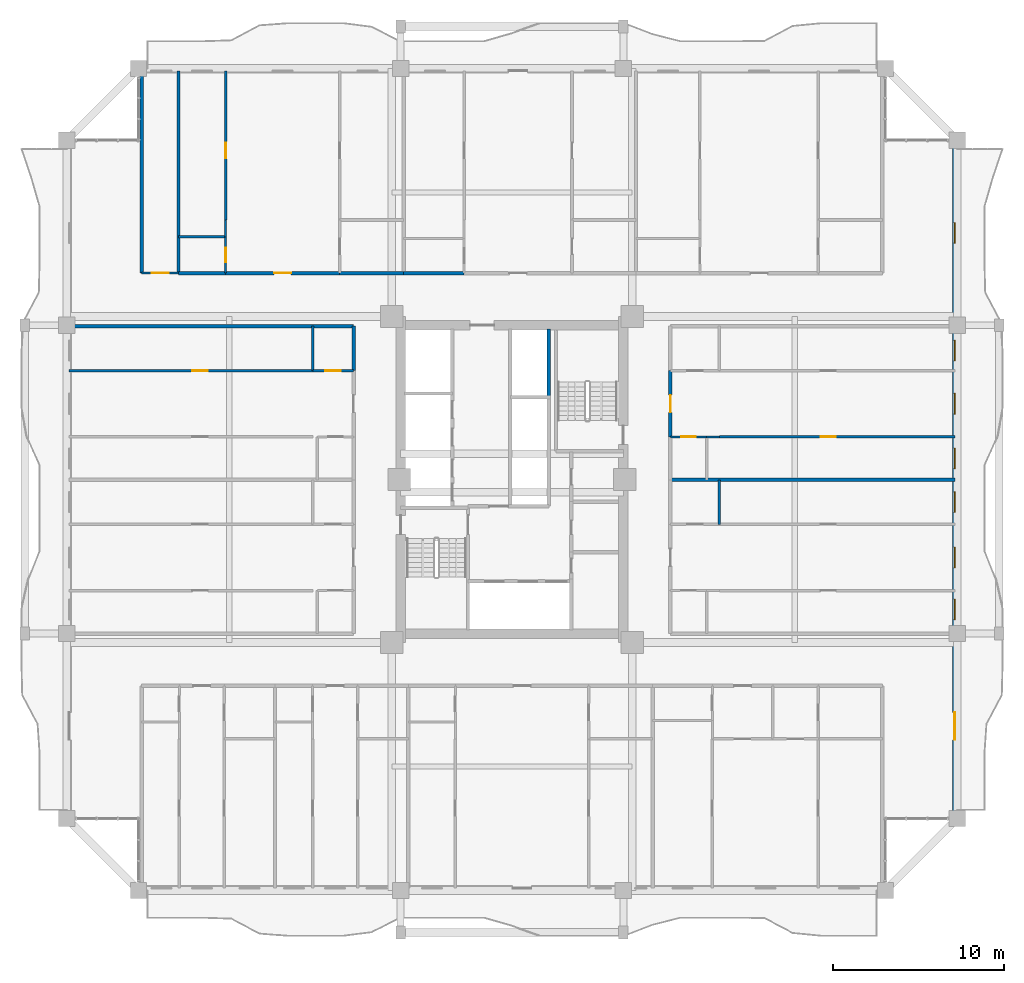
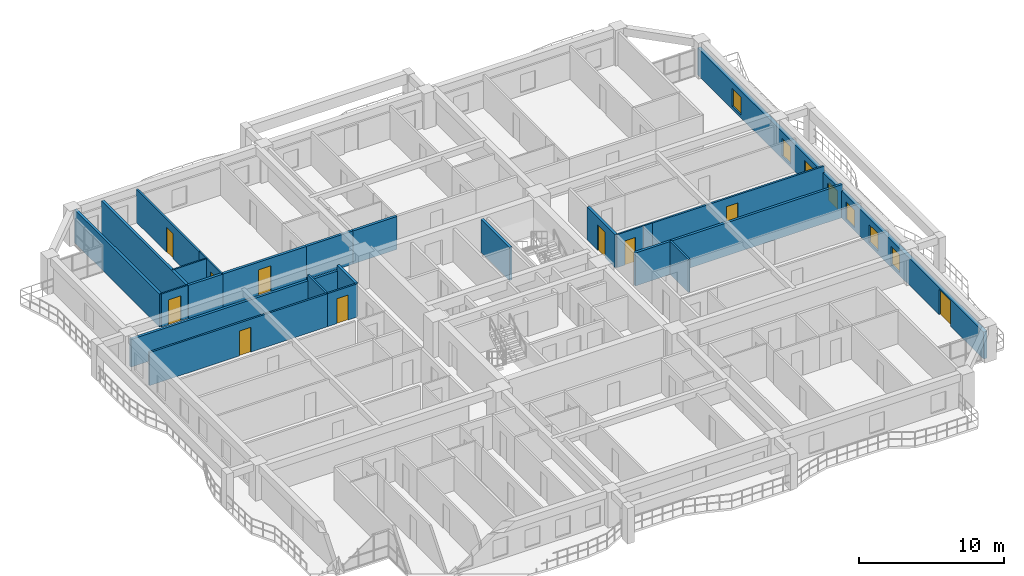
# One storey, part 18 of 25: 24 walls, 10 doors, 7 windows, 17 openings.
"""IFC4 building model written with IfcOpenShell, lengths in metres."""

from ifc_helpers import new_model, si_unit, direction, frame, frame_2d, origin, place, context, subcontext, project, spatial, rectangle, extrude, source, transform, mapped, material, layer, layer_set, type_object, element, fill, save


model = new_model("IFC4")

# Units and contexts
model_context = context("Model", 3, precision=1e-05, world=origin(), true_north=direction((0.0, 1.0)))
body_context = subcontext(model_context, "Body", "Model", "MODEL_VIEW")
ifc_project = project(units=[si_unit("LENGTHUNIT", "METRE"), si_unit("AREAUNIT", "SQUARE_METRE"), si_unit("VOLUMEUNIT", "CUBIC_METRE"), si_unit("PLANEANGLEUNIT", "RADIAN"), si_unit("MASSUNIT", "GRAM", prefix="KILO")], contexts=[model_context])

# Site, building, storey
site_placement = place(None, origin())
site = spatial("IfcSite", under=ifc_project, at=site_placement, CompositionType="ELEMENT")
building_placement = place(site_placement, origin())
building = spatial("IfcBuilding", under=site, at=building_placement, Name="Saelheon Loggia Tower", CompositionType="ELEMENT")
storey_placement = place(building_placement, frame((0.0, 0.0, 80.85009765625)))
storey = spatial("IfcBuildingStorey", under=building, at=storey_placement, Name="L25", CompositionType="ELEMENT", Elevation=80.85009765625)

# Wall, openings, windows, door
ifc_material_1 = material(Name="Architectural Precast Concrete C40/50", Category="concrete")
ifc_layer_1 = layer(ifc_material_1, 0.280029296875)
ifc_layer_set_1 = layer_set([ifc_layer_1], Name="Architectural Precast Concrete C40/50")
wall_type_1 = type_object("IfcWallType", Name="Wall_Ext_Loggia_280", PredefinedType="SOLIDWALL", material=ifc_layer_set_1)
wall_1_placement = place(storey_placement, frame((63.860107421875, 7.199951171875, 0.0), z_axis=(0.0, 0.0, 1.0), x_axis=(0.0, 1.0, 0.0)))
wall_1 = element("IfcWall", 1, at=wall_1_placement, inside=storey, type_object=wall_type_1, Name="L25 East Loggia Inner Wall", PredefinedType="SOLIDWALL", context=body_context, shape_type="SweptSolid", body=[
    extrude(rectangle(XDim=39.60009765625, YDim=0.280029296875, at=frame_2d((19.800048828125, 0.0))), origin(), (0.0, 0.0, 1.0), 2.27978515625),
])
opening_1_placement = place(wall_1_placement, frame((6.2001953125, 0.0, 0.0), z_axis=(0.0, 0.0, 1.0), x_axis=(-1.0, 0.0, 0.0)))
opening_1 = element("IfcOpeningElement", 2, at=opening_1_placement, cuts=wall_1, Name="Opening DLG-1", PredefinedType="OPENING", context=body_context, shape_type="SweptSolid", body=[
    extrude(rectangle(XDim=1.60009765625, YDim=2.14990234375, at=frame_2d((0.800048828125, 1.074951171875))), frame((0.0, 0.152099609375, 0.0), z_axis=(0.0, -1.0, 0.0), x_axis=(1.0, 0.0, 0.0)), (0.0, 0.0, 1.0), 0.303955078125),
])
opening_2_placement = place(wall_1_placement, frame((11.614013671875, 0.0, 0.25)))
opening_2 = element("IfcOpeningElement", 3, at=opening_2_placement, cuts=wall_1, Name="Opening WN-03", PredefinedType="OPENING", context=body_context, shape_type="SweptSolid", body=[
    extrude(rectangle(XDim=1.199951171875, YDim=1.5, at=frame_2d((0.60009765625, 0.75))), frame((0.0, 0.152099609375, 0.0), z_axis=(0.0, -1.0, 0.0), x_axis=(1.0, 0.0, 0.0)), (0.0, 0.0, 1.0), 0.303955078125),
])
opening_3_placement = place(wall_1_placement, frame((14.64404296875, 0.0, 0.25)))
opening_3 = element("IfcOpeningElement", 4, at=opening_3_placement, cuts=wall_1, Name="Opening WN-03", PredefinedType="OPENING", context=body_context, shape_type="SweptSolid", body=[
    extrude(rectangle(XDim=1.199951171875, YDim=1.5, at=frame_2d((0.60009765625, 0.75))), frame((0.0, 0.152099609375, 0.0), z_axis=(0.0, -1.0, 0.0), x_axis=(1.0, 0.0, 0.0)), (0.0, 0.0, 1.0), 0.303955078125),
])
opening_4_placement = place(wall_1_placement, frame((17.875, 0.0, 0.25)))
opening_4 = element("IfcOpeningElement", 5, at=opening_4_placement, cuts=wall_1, Name="Opening WN-03", PredefinedType="OPENING", context=body_context, shape_type="SweptSolid", body=[
    extrude(rectangle(XDim=1.199951171875, YDim=1.5, at=frame_2d((0.60009765625, 0.75))), frame((0.0, 0.152099609375, 0.0), z_axis=(0.0, -1.0, 0.0), x_axis=(1.0, 0.0, 0.0)), (0.0, 0.0, 1.0), 0.303955078125),
])
opening_5_placement = place(wall_1_placement, frame((20.431396484375, 0.0, 0.25)))
opening_5 = element("IfcOpeningElement", 6, at=opening_5_placement, cuts=wall_1, Name="Opening WN-03", PredefinedType="OPENING", context=body_context, shape_type="SweptSolid", body=[
    extrude(rectangle(XDim=1.199951171875, YDim=1.5, at=frame_2d((0.60009765625, 0.75))), frame((0.0, 0.152099609375, 0.0), z_axis=(0.0, -1.0, 0.0), x_axis=(1.0, 0.0, 0.0)), (0.0, 0.0, 1.0), 0.303955078125),
])
opening_6_placement = place(wall_1_placement, frame((23.618896484375, 0.0, 0.25)))
opening_6 = element("IfcOpeningElement", 7, at=opening_6_placement, cuts=wall_1, Name="Opening WN-03", PredefinedType="OPENING", context=body_context, shape_type="SweptSolid", body=[
    extrude(rectangle(XDim=1.199951171875, YDim=1.5, at=frame_2d((0.60009765625, 0.75))), frame((0.0, 0.152099609375, 0.0), z_axis=(0.0, -1.0, 0.0), x_axis=(1.0, 0.0, 0.0)), (0.0, 0.0, 1.0), 0.303955078125),
])
opening_7_placement = place(wall_1_placement, frame((26.717529296875, 0.0, 0.25)))
opening_7 = element("IfcOpeningElement", 8, at=opening_7_placement, cuts=wall_1, Name="Opening WN-03", PredefinedType="OPENING", context=body_context, shape_type="SweptSolid", body=[
    extrude(rectangle(XDim=1.199951171875, YDim=1.5, at=frame_2d((0.60009765625, 0.75))), frame((0.0, 0.152099609375, 0.0), z_axis=(0.0, -1.0, 0.0), x_axis=(1.0, 0.0, 0.0)), (0.0, 0.0, 1.0), 0.303955078125),
])
opening_8_placement = place(wall_1_placement, frame((33.60009765625, 0.0, 0.25)))
opening_8 = element("IfcOpeningElement", 9, at=opening_8_placement, cuts=wall_1, Name="Opening WN-03", PredefinedType="OPENING", context=body_context, shape_type="SweptSolid", body=[
    extrude(rectangle(XDim=1.199951171875, YDim=1.5, at=frame_2d((0.60009765625, 0.75))), frame((0.0, 0.152099609375, 0.0), z_axis=(0.0, -1.0, 0.0), x_axis=(1.0, 0.0, 0.0)), (0.0, 0.0, 1.0), 0.303955078125),
])
ifc_material_2 = material(Name="Thermal-Break Aluminium and Triple Low-E Glass", Category="aluminium")
window_type = type_object("IfcWindowType", Name="Win_Bedroom_1200x1500", PartitioningType="SINGLE_PANEL", PredefinedType="WINDOW", material=ifc_material_2)
shared_shape_1 = source(origin(), body_context, "Body", "SweptSolid", [
    extrude(rectangle(XDim=1.199951171875, YDim=1.5, at=frame_2d((0.60009765625, 0.75))), frame((0.0, 0.030029296875, 0.0), z_axis=(0.0, -1.0, 0.0), x_axis=(1.0, 0.0, 0.0)), (0.0, 0.0, 1.0), 0.06005859375),
])
window_1_placement = place(opening_2_placement, origin())
window_1 = element("IfcWindow", 10, at=window_1_placement, inside=storey, type_object=window_type, Name="L25 E Dwelling Window 2", OverallHeight=1.5, OverallWidth=1.199951171875, PartitioningType="SINGLE_PANEL", PredefinedType="WINDOW", context=body_context, shape_type="MappedRepresentation", body=[
    mapped(shared_shape_1, transform((0.0, 0.0, 0.0), scale=1.0)),
])
fill(opening_2, window_1)
window_2_placement = place(opening_3_placement, origin())
window_2 = element("IfcWindow", 11, at=window_2_placement, inside=storey, type_object=window_type, Name="L25 E Dwelling Window 3", OverallHeight=1.5, OverallWidth=1.199951171875, PartitioningType="SINGLE_PANEL", PredefinedType="WINDOW", context=body_context, shape_type="MappedRepresentation", body=[
    mapped(shared_shape_1, transform((0.0, 0.0, 0.0), scale=1.0)),
])
fill(opening_3, window_2)
window_3_placement = place(opening_4_placement, origin())
window_3 = element("IfcWindow", 12, at=window_3_placement, inside=storey, type_object=window_type, Name="L25 E Dwelling Window 4", OverallHeight=1.5, OverallWidth=1.199951171875, PartitioningType="SINGLE_PANEL", PredefinedType="WINDOW", context=body_context, shape_type="MappedRepresentation", body=[
    mapped(shared_shape_1, transform((0.0, 0.0, 0.0), scale=1.0)),
])
fill(opening_4, window_3)
window_4_placement = place(opening_5_placement, origin())
window_4 = element("IfcWindow", 13, at=window_4_placement, inside=storey, type_object=window_type, Name="L25 E Dwelling Window 5", OverallHeight=1.5, OverallWidth=1.199951171875, PartitioningType="SINGLE_PANEL", PredefinedType="WINDOW", context=body_context, shape_type="MappedRepresentation", body=[
    mapped(shared_shape_1, transform((0.0, 0.0, 0.0), scale=1.0)),
])
fill(opening_5, window_4)
window_5_placement = place(opening_6_placement, origin())
window_5 = element("IfcWindow", 14, at=window_5_placement, inside=storey, type_object=window_type, Name="L25 E Dwelling Window 6", OverallHeight=1.5, OverallWidth=1.199951171875, PartitioningType="SINGLE_PANEL", PredefinedType="WINDOW", context=body_context, shape_type="MappedRepresentation", body=[
    mapped(shared_shape_1, transform((0.0, 0.0, 0.0), scale=1.0)),
])
fill(opening_6, window_5)
window_6_placement = place(opening_7_placement, origin())
window_6 = element("IfcWindow", 15, at=window_6_placement, inside=storey, type_object=window_type, Name="L25 E Dwelling Window 7", OverallHeight=1.5, OverallWidth=1.199951171875, PartitioningType="SINGLE_PANEL", PredefinedType="WINDOW", context=body_context, shape_type="MappedRepresentation", body=[
    mapped(shared_shape_1, transform((0.0, 0.0, 0.0), scale=1.0)),
])
fill(opening_7, window_6)
window_7_placement = place(opening_8_placement, origin())
window_7 = element("IfcWindow", 16, at=window_7_placement, inside=storey, type_object=window_type, Name="L25 E Dwelling Window 8", OverallHeight=1.5, OverallWidth=1.199951171875, PartitioningType="SINGLE_PANEL", PredefinedType="WINDOW", context=body_context, shape_type="MappedRepresentation", body=[
    mapped(shared_shape_1, transform((0.0, 0.0, 0.0), scale=1.0)),
])
fill(opening_8, window_7)
ifc_material_3 = material(Name="Thermal-Break Aluminium Sliding Glazed Door", Category="aluminium")
door_type_1 = type_object("IfcDoorType", Name="Door_LoggiaSlide_1600", OperationType="SLIDING_TO_LEFT", PredefinedType="DOOR", material=ifc_material_3)
shared_shape_2 = source(origin(), body_context, "Body", "SweptSolid", [
    extrude(rectangle(XDim=1.60009765625, YDim=2.14990234375, at=frame_2d((0.800048828125, 1.074951171875))), frame((0.0, 0.02490234375, 0.0), z_axis=(0.0, -1.0, 0.0), x_axis=(1.0, 0.0, 0.0)), (0.0, 0.0, 1.0), 0.050048828125),
])
door_1_placement = place(opening_1_placement, origin())
door_1 = element("IfcDoor", 17, at=door_1_placement, inside=storey, type_object=door_type_1, Name="L25 E Loggia Access Door", OperationType="SLIDING_TO_LEFT", OverallHeight=2.14990234375, OverallWidth=1.60009765625, PredefinedType="DOOR", context=body_context, shape_type="MappedRepresentation", body=[
    mapped(shared_shape_2, transform((0.0, 0.0, 0.0), scale=1.0)),
])
fill(opening_1, door_1)

# Wall, opening, door
ifc_material_4 = material(Name="Lightweight Autoclaved Aerated Concrete Block and Acoustic Gypsum", Category="concrete")
ifc_layer_2 = layer(ifc_material_4, 0.14990234375)
ifc_layer_set_2 = layer_set([ifc_layer_2], Name="Lightweight Autoclaved Aerated Concrete Block and Acoustic Gypsum")
wall_type_2 = type_object("IfcWallType", Name="Wall_Part_150", PredefinedType="PARTITIONING", material=ifc_layer_set_2)
wall_2_placement = place(storey_placement, frame((21.280029296875, 42.14990234375, 0.0), z_axis=(0.0, 0.0, 1.0), x_axis=(0.0, 1.0, 0.0)))
wall_2 = element("IfcWall", 18, at=wall_2_placement, inside=storey, type_object=wall_type_2, Name="L25 N Partition U12", PredefinedType="PARTITIONING", context=body_context, shape_type="SweptSolid", body=[
    extrude(rectangle(XDim=8.7001953125, YDim=0.14990234375, at=frame_2d((4.35009765625, 0.0))), origin(), (0.0, 0.0, 1.0), 2.789794921875),
])
opening_9_placement = place(wall_2_placement, frame((3.594970703125, 0.0, 0.0)))
opening_9 = element("IfcOpeningElement", 19, at=opening_9_placement, cuts=wall_2, Name="Opening D-IN2", PredefinedType="OPENING", context=body_context, shape_type="SweptSolid", body=[
    extrude(rectangle(XDim=0.89990234375, YDim=2.10009765625, at=frame_2d((0.449951171875, 1.050048828125))), frame((0.0, 0.0869140625, 0.0), z_axis=(0.0, -1.0, 0.0), x_axis=(1.0, 0.0, 0.0)), (0.0, 0.0, 1.0), 0.173828125),
])
ifc_material_5 = material(Name="Engineered Oak Flush Door", Category="timber")
door_type_2 = type_object("IfcDoorType", Name="Door_Int_900", OperationType="NOTDEFINED", PredefinedType="DOOR", material=ifc_material_5)
shared_shape_3 = source(origin(), body_context, "Body", "SweptSolid", [
    extrude(rectangle(XDim=0.89990234375, YDim=2.10009765625, at=frame_2d((0.449951171875, 1.050048828125))), frame((0.0, 0.02490234375, 0.0), z_axis=(0.0, -1.0, 0.0), x_axis=(1.0, 0.0, 0.0)), (0.0, 0.0, 1.0), 0.050048828125),
])
door_2_placement = place(opening_9_placement, origin())
door_2 = element("IfcDoor", 20, at=door_2_placement, inside=storey, type_object=door_type_2, Name="Unit U05 Kitchen Door", OperationType="SINGLE_SWING_RIGHT", OverallHeight=2.10009765625, OverallWidth=0.89990234375, PredefinedType="DOOR", context=body_context, shape_type="MappedRepresentation", body=[
    mapped(shared_shape_3, transform((0.0, 0.0, 0.0), scale=1.0)),
])
fill(opening_9, door_2)

# Wall
wall_3_placement = place(storey_placement, frame((26.3701171875, 33.35009765625, 0.0), z_axis=(0.0, 0.0, 1.0), x_axis=(0.0, 1.0, 0.0)))
element("IfcWall", 21, at=wall_3_placement, inside=storey, type_object=wall_type_2, Name="L25 W Partition V17", PredefinedType="PARTITIONING", context=body_context, shape_type="SweptSolid", body=[
    extrude(rectangle(XDim=2.599853515625, YDim=0.14990234375, at=frame_2d((1.2998046875, 0.0))), origin(), (0.0, 0.0, 1.0), 2.789794921875),
])

# Wall, opening, door
wall_4_placement = place(storey_placement, frame((28.75, 33.35009765625, 0.0), z_axis=(0.0, 0.0, 1.0), x_axis=(-1.0, 0.0, 0.0)))
wall_4 = element("IfcWall", 22, at=wall_4_placement, inside=storey, type_object=wall_type_2, Name="L25 W Partition U20", PredefinedType="PARTITIONING", context=body_context, shape_type="SweptSolid", body=[
    extrude(rectangle(XDim=2.3798828125, YDim=0.14990234375, at=frame_2d((1.18994140625, 0.0))), origin(), (0.0, 0.0, 1.0), 2.789794921875),
])
opening_10_placement = place(wall_4_placement, frame((0.739990234375, 0.0, 0.0)))
opening_10 = element("IfcOpeningElement", 23, at=opening_10_placement, cuts=wall_4, Name="Opening D-IN2", PredefinedType="OPENING", context=body_context, shape_type="SweptSolid", body=[
    extrude(rectangle(XDim=0.89990234375, YDim=2.10009765625, at=frame_2d((0.449951171875, 1.050048828125))), frame((0.0, 0.0869140625, 0.0), z_axis=(0.0, -1.0, 0.0), x_axis=(1.0, 0.0, 0.0)), (0.0, 0.0, 1.0), 0.173828125),
])
door_3_placement = place(opening_10_placement, origin())
door_3 = element("IfcDoor", 24, at=door_3_placement, inside=storey, type_object=door_type_2, Name="Unit U09 Dressing Closet Door", OperationType="SINGLE_SWING_LEFT", OverallHeight=2.10009765625, OverallWidth=0.89990234375, PredefinedType="DOOR", context=body_context, shape_type="MappedRepresentation", body=[
    mapped(shared_shape_3, transform((0.0, 0.0, 0.0), scale=1.0)),
])
fill(opening_10, door_3)

wall_5_placement = place(storey_placement, frame((26.3701171875, 33.35009765625, 0.0), z_axis=(0.0, 0.0, 1.0), x_axis=(-1.0, 0.0, 0.0)))
wall_5 = element("IfcWall", 25, at=wall_5_placement, inside=storey, type_object=wall_type_2, Name="L25 W Partition U21", PredefinedType="PARTITIONING", context=body_context, shape_type="SweptSolid", body=[
    extrude(rectangle(XDim=14.22021484375, YDim=0.14990234375, at=frame_2d((7.110107421875, 0.0))), origin(), (0.0, 0.0, 1.0), 2.789794921875),
])
opening_11_placement = place(wall_5_placement, frame((6.125, 0.0, 0.0)))
opening_11 = element("IfcOpeningElement", 26, at=opening_11_placement, cuts=wall_5, Name="Opening D-IN2", PredefinedType="OPENING", context=body_context, shape_type="SweptSolid", body=[
    extrude(rectangle(XDim=0.89990234375, YDim=2.10009765625, at=frame_2d((0.449951171875, 1.050048828125))), frame((0.0, 0.0869140625, 0.0), z_axis=(0.0, -1.0, 0.0), x_axis=(1.0, 0.0, 0.0)), (0.0, 0.0, 1.0), 0.173828125),
])
door_4_placement = place(opening_11_placement, origin())
door_4 = element("IfcDoor", 27, at=door_4_placement, inside=storey, type_object=door_type_2, Name="Unit U09 Bedroom 1 Door", OperationType="SINGLE_SWING_RIGHT", OverallHeight=2.10009765625, OverallWidth=0.89990234375, PredefinedType="DOOR", context=body_context, shape_type="MappedRepresentation", body=[
    mapped(shared_shape_3, transform((0.0, 0.0, 0.0), scale=1.0)),
])
fill(opening_11, door_4)

# Wall
wall_6_placement = place(storey_placement, frame((50.110107421875, 24.375, 0.0), z_axis=(0.0, 0.0, 1.0), x_axis=(0.0, 1.0, 0.0)))
element("IfcWall", 28, at=wall_6_placement, inside=storey, type_object=wall_type_2, Name="L25 E Partition V07", PredefinedType="PARTITIONING", context=body_context, shape_type="SweptSolid", body=[
    extrude(rectangle(XDim=2.60009765625, YDim=0.14990234375, at=frame_2d((1.300048828125, 0.0))), origin(), (0.0, 0.0, 1.0), 2.789794921875),
])

# Wall, opening, door
wall_7_placement = place(storey_placement, frame((50.110107421875, 29.488037109375, 0.0), z_axis=(0.0, 0.0, 1.0), x_axis=(1.0, 0.0, 0.0)))
wall_7 = element("IfcWall", 29, at=wall_7_placement, inside=storey, type_object=wall_type_2, Name="L25 E Partition U21", PredefinedType="PARTITIONING", context=body_context, shape_type="SweptSolid", body=[
    extrude(rectangle(XDim=13.739990234375, YDim=0.14990234375, at=frame_2d((6.8701171875, 0.0))), origin(), (0.0, 0.0, 1.0), 2.789794921875),
])
opening_12_placement = place(wall_7_placement, frame((5.905029296875, 0.0, 0.0)))
opening_12 = element("IfcOpeningElement", 30, at=opening_12_placement, cuts=wall_7, Name="Opening D-IN2", PredefinedType="OPENING", context=body_context, shape_type="SweptSolid", body=[
    extrude(rectangle(XDim=0.89990234375, YDim=2.10009765625, at=frame_2d((0.449951171875, 1.050048828125))), frame((0.0, 0.0869140625, 0.0), z_axis=(0.0, -1.0, 0.0), x_axis=(1.0, 0.0, 0.0)), (0.0, 0.0, 1.0), 0.173828125),
])
door_5_placement = place(opening_12_placement, origin())
door_5 = element("IfcDoor", 31, at=door_5_placement, inside=storey, type_object=door_type_2, Name="Unit U11 Kitchen Door", OperationType="SINGLE_SWING_RIGHT", OverallHeight=2.10009765625, OverallWidth=0.89990234375, PredefinedType="DOOR", context=body_context, shape_type="MappedRepresentation", body=[
    mapped(shared_shape_3, transform((0.0, 0.0, 0.0), scale=1.0)),
])
fill(opening_12, door_5)

# Walls
ifc_material_6 = material(Name="Double Acoustic Stud and Fireboard Partition", Category="gypsum")
ifc_layer_3 = layer(ifc_material_6, 0.199951171875)
ifc_layer_set_3 = layer_set([ifc_layer_3], Name="Double Acoustic Stud and Fireboard Partition")
wall_type_3 = type_object("IfcWallType", Name="Wall_Party_200", PredefinedType="PARTITIONING", material=ifc_layer_set_3)
for number, where, z_axis, x_axis, name in (
    (32, (16.3798828125, 39.050048828125, 0.0), (0.0, 0.0, 1.0), (0.0, 1.0, 0.0), "L25 N Partition U01"),
    (33, (18.530029296875, 39.050048828125, 0.0), (0.0, 0.0, 1.0), (0.0, 1.0, 0.0), "L25 N Partition U03"),
):
    element("IfcWall", number, at=place(storey_placement, frame(where, z_axis=z_axis, x_axis=x_axis)), inside=storey, type_object=wall_type_3, Name=name, PredefinedType="PARTITIONING", context=body_context, shape_type="SweptSolid", body=[
        extrude(rectangle(XDim=11.800048828125, YDim=0.199951171875, at=frame_2d((5.89990234375, 0.0))), origin(), (0.0, 0.0, 1.0), 2.789794921875),
    ])
wall_8_placement = place(storey_placement, frame((18.530029296875, 39.050048828125, 0.0), z_axis=(0.0, 0.0, 1.0), x_axis=(1.0, 0.0, 0.0)))
element("IfcWall", 34, at=wall_8_placement, inside=storey, type_object=wall_type_3, Name="L25 N Partition V05", PredefinedType="PARTITIONING", context=body_context, shape_type="SweptSolid", body=[
    extrude(rectangle(XDim=2.75, YDim=0.199951171875, at=frame_2d((1.375, 0.0))), origin(), (0.0, 0.0, 1.0), 2.789794921875),
])

# Wall, opening, door
wall_9_placement = place(storey_placement, frame((21.280029296875, 39.050048828125, 0.0), z_axis=(0.0, 0.0, 1.0), x_axis=(1.0, 0.0, 0.0)))
wall_9 = element("IfcWall", 35, at=wall_9_placement, inside=storey, type_object=wall_type_3, Name="L25 N Partition V06", PredefinedType="PARTITIONING", context=body_context, shape_type="SweptSolid", body=[
    extrude(rectangle(XDim=6.6630859375, YDim=0.199951171875, at=frame_2d((3.33154296875, 0.0))), origin(), (0.0, 0.0, 1.0), 2.789794921875),
])
opening_13_placement = place(wall_9_placement, frame((2.83154296875, 0.0, 0.0)))
opening_13 = element("IfcOpeningElement", 36, at=opening_13_placement, cuts=wall_9, Name="Opening D-FD1", PredefinedType="OPENING", context=body_context, shape_type="SweptSolid", body=[
    extrude(rectangle(XDim=1.0, YDim=2.14990234375, at=frame_2d((0.5, 1.074951171875))), frame((0.0, 0.112060546875, 0.0), z_axis=(0.0, -1.0, 0.0), x_axis=(1.0, 0.0, 0.0)), (0.0, 0.0, 1.0), 0.223876953125),
])
ifc_material_7 = material(Name="Fire-Rated Engineered Timber Entrance Door", Category="wood")
door_type_3 = type_object("IfcDoorType", Name="Door_Flat_FD30S", OperationType="NOTDEFINED", PredefinedType="DOOR", material=ifc_material_7)
shared_shape_4 = source(origin(), body_context, "Body", "SweptSolid", [
    extrude(rectangle(XDim=1.0, YDim=2.14990234375, at=frame_2d((0.5, 1.074951171875))), frame((0.0, 0.02490234375, 0.0), z_axis=(0.0, -1.0, 0.0), x_axis=(1.0, 0.0, 0.0)), (0.0, 0.0, 1.0), 0.050048828125),
])
door_6_placement = place(opening_13_placement, origin())
door_6 = element("IfcDoor", 37, at=door_6_placement, inside=storey, type_object=door_type_3, Name="Unit U05 Entrance Door", OperationType="SINGLE_SWING_RIGHT", OverallHeight=2.14990234375, OverallWidth=1.0, PredefinedType="DOOR", context=body_context, shape_type="MappedRepresentation", body=[
    mapped(shared_shape_4, transform((0.0, 0.0, 0.0), scale=1.0)),
])
fill(opening_13, door_6)

# Walls
wall_10_placement = place(storey_placement, frame((27.943115234375, 39.050048828125, 0.0), z_axis=(0.0, 0.0, 1.0), x_axis=(1.0, 0.0, 0.0)))
element("IfcWall", 38, at=wall_10_placement, inside=storey, type_object=wall_type_3, Name="L25 N Partition V07", PredefinedType="PARTITIONING", context=body_context, shape_type="SweptSolid", body=[
    extrude(rectangle(XDim=3.735595703125, YDim=0.199951171875, at=frame_2d((1.86767578125, 0.0))), origin(), (0.0, 0.0, 1.0), 2.789794921875),
])
wall_11_placement = place(storey_placement, frame((31.6787109375, 39.050048828125, 0.0), z_axis=(0.0, 0.0, 1.0), x_axis=(1.0, 0.0, 0.0)))
element("IfcWall", 39, at=wall_11_placement, inside=storey, type_object=wall_type_3, Name="L25 N Partition V16", PredefinedType="PARTITIONING", context=body_context, shape_type="SweptSolid", body=[
    extrude(rectangle(XDim=3.525634765625, YDim=0.199951171875, at=frame_2d((1.7626953125, 0.0))), origin(), (0.0, 0.0, 1.0), 2.789794921875),
])
wall_12_placement = place(storey_placement, frame((28.75, 35.949951171875, 0.0), z_axis=(0.0, 0.0, 1.0), x_axis=(-1.0, 0.0, 0.0)))
element("IfcWall", 40, at=wall_12_placement, inside=storey, type_object=wall_type_3, Name="L25 W Partition U02", PredefinedType="PARTITIONING", context=body_context, shape_type="SweptSolid", body=[
    extrude(rectangle(XDim=16.60009765625, YDim=0.199951171875, at=frame_2d((8.300048828125, 0.0))), origin(), (0.0, 0.0, 1.0), 2.33984375),
])
wall_13_placement = place(storey_placement, frame((28.75, 33.35009765625, 0.0), z_axis=(0.0, 0.0, 1.0), x_axis=(0.0, 1.0, 0.0)))
element("IfcWall", 41, at=wall_13_placement, inside=storey, type_object=wall_type_3, Name="L25 W Partition V15", PredefinedType="PARTITIONING", context=body_context, shape_type="SweptSolid", body=[
    extrude(rectangle(XDim=2.599853515625, YDim=0.199951171875, at=frame_2d((1.2998046875, 0.0))), origin(), (0.0, 0.0, 1.0), 2.789794921875),
])
wall_14_placement = place(storey_placement, frame((47.25, 26.97509765625, 0.0), z_axis=(0.0, 0.0, 1.0), x_axis=(1.0, 0.0, 0.0)))
element("IfcWall", 42, at=wall_14_placement, inside=storey, type_object=wall_type_3, Name="L25 E Partition U13", PredefinedType="PARTITIONING", context=body_context, shape_type="SweptSolid", body=[
    extrude(rectangle(XDim=16.60009765625, YDim=0.199951171875, at=frame_2d((8.300048828125, 0.0))), origin(), (0.0, 0.0, 1.0), 2.789794921875),
])

# Wall, opening, door
wall_15_placement = place(storey_placement, frame((47.25, 29.488037109375, 0.0), z_axis=(0.0, 0.0, 1.0), x_axis=(0.0, 1.0, 0.0)))
wall_15 = element("IfcWall", 43, at=wall_15_placement, inside=storey, type_object=wall_type_3, Name="L25 E Partition V15", PredefinedType="PARTITIONING", context=body_context, shape_type="SweptSolid", body=[
    extrude(rectangle(XDim=3.862060546875, YDim=0.199951171875, at=frame_2d((1.93115234375, 0.0))), origin(), (0.0, 0.0, 1.0), 2.789794921875),
])
opening_14_placement = place(wall_15_placement, frame((1.430908203125, 0.0, 0.0)))
opening_14 = element("IfcOpeningElement", 44, at=opening_14_placement, cuts=wall_15, Name="Opening D-FD1", PredefinedType="OPENING", context=body_context, shape_type="SweptSolid", body=[
    extrude(rectangle(XDim=1.0, YDim=2.14990234375, at=frame_2d((0.5, 1.074951171875))), frame((0.0, 0.112060546875, 0.0), z_axis=(0.0, -1.0, 0.0), x_axis=(1.0, 0.0, 0.0)), (0.0, 0.0, 1.0), 0.223876953125),
])
door_7_placement = place(opening_14_placement, origin())
door_7 = element("IfcDoor", 45, at=door_7_placement, inside=storey, type_object=door_type_3, Name="Unit U11 Entrance Door", OperationType="SINGLE_SWING_RIGHT", OverallHeight=2.14990234375, OverallWidth=1.0, PredefinedType="DOOR", context=body_context, shape_type="MappedRepresentation", body=[
    mapped(shared_shape_4, transform((0.0, 0.0, 0.0), scale=1.0)),
])
fill(opening_14, door_7)

# Wall
ifc_material_8 = material(Name="Concrete C40/50", Category="concrete")
ifc_layer_4 = layer(ifc_material_8, 0.199951171875)
ifc_layer_set_4 = layer_set([ifc_layer_4], Name="Concrete C40/50")
wall_type_4 = type_object("IfcWallType", Name="Wall_Shaft_200", PredefinedType="PARTITIONING", material=ifc_layer_set_4)
wall_16_placement = place(storey_placement, frame((40.14990234375, 31.800048828125, 0.0), z_axis=(0.0, 0.0, 1.0), x_axis=(0.0, 1.0, 0.0)))
element("IfcWall", 46, at=wall_16_placement, inside=storey, type_object=wall_type_4, Name="L25 East High-Rise Hoistway East Wall", PredefinedType="PARTITIONING", context=body_context, shape_type="SweptSolid", body=[
    extrude(rectangle(XDim=3.97998046875, YDim=0.199951171875, at=frame_2d((1.989990234375, 0.0))), origin(), (0.0, 0.0, 1.0), 2.789794921875),
])

# Wall, opening, door
ifc_material_9 = material(Name="Moisture-Resistant Cement Board Partition", Category="gypsum")
ifc_layer_5 = layer(ifc_material_9, 0.1201171875)
ifc_layer_set_5 = layer_set([ifc_layer_5], Name="Moisture-Resistant Cement Board Partition")
wall_type_5 = type_object("IfcWallType", Name="Wall_WetPart_120", PredefinedType="PARTITIONING", material=ifc_layer_set_5)
wall_17_placement = place(storey_placement, frame((16.3798828125, 39.050048828125, 0.0), z_axis=(0.0, 0.0, 1.0), x_axis=(1.0, 0.0, 0.0)))
wall_17 = element("IfcWall", 47, at=wall_17_placement, inside=storey, type_object=wall_type_5, Name="L25 N Partition V04", PredefinedType="PARTITIONING", context=body_context, shape_type="SweptSolid", body=[
    extrude(rectangle(XDim=2.150146484375, YDim=0.1201171875, at=frame_2d((1.0751953125, 0.0))), origin(), (0.0, 0.0, 1.0), 2.789794921875),
])
opening_15_placement = place(wall_17_placement, frame((0.574951171875, 0.0, 0.0)))
opening_15 = element("IfcOpeningElement", 48, at=opening_15_placement, cuts=wall_17, Name="Opening D-AC1", PredefinedType="OPENING", context=body_context, shape_type="SweptSolid", body=[
    extrude(rectangle(XDim=1.0, YDim=2.10009765625, at=frame_2d((0.5, 1.050048828125))), frame((0.0, 0.072021484375, 0.0), z_axis=(0.0, -1.0, 0.0), x_axis=(1.0, 0.0, 0.0)), (0.0, 0.0, 1.0), 0.14404296875),
])
ifc_material_10 = material(Name="Accessible Laminate Flush Door", Category="timber")
door_type_4 = type_object("IfcDoorType", Name="Door_Acc_1000", OperationType="NOTDEFINED", PredefinedType="DOOR", material=ifc_material_10)
shared_shape_5 = source(origin(), body_context, "Body", "SweptSolid", [
    extrude(rectangle(XDim=1.0, YDim=2.10009765625, at=frame_2d((0.5, 1.050048828125))), frame((0.0, 0.02490234375, 0.0), z_axis=(0.0, -1.0, 0.0), x_axis=(1.0, 0.0, 0.0)), (0.0, 0.0, 1.0), 0.050048828125),
])
door_8_placement = place(opening_15_placement, origin())
door_8 = element("IfcDoor", 49, at=door_8_placement, inside=storey, type_object=door_type_4, Name="L25 Floor Accessible WC Door", OperationType="SINGLE_SWING_LEFT", OverallHeight=2.10009765625, OverallWidth=1.0, PredefinedType="DOOR", context=body_context, shape_type="MappedRepresentation", body=[
    mapped(shared_shape_5, transform((0.0, 0.0, 0.0), scale=1.0)),
])
fill(opening_15, door_8)

# Wall
wall_18_placement = place(storey_placement, frame((18.530029296875, 41.169921875, 0.0), z_axis=(0.0, 0.0, 1.0), x_axis=(1.0, 0.0, 0.0)))
element("IfcWall", 50, at=wall_18_placement, inside=storey, type_object=wall_type_5, Name="L25 N Partition V08", PredefinedType="PARTITIONING", context=body_context, shape_type="SweptSolid", body=[
    extrude(rectangle(XDim=2.75, YDim=0.1201171875, at=frame_2d((1.375, 0.0))), origin(), (0.0, 0.0, 1.0), 2.789794921875),
])

# Wall, opening, door
wall_19_placement = place(storey_placement, frame((21.280029296875, 39.050048828125, 0.0), z_axis=(0.0, 0.0, 1.0), x_axis=(0.0, 1.0, 0.0)))
wall_19 = element("IfcWall", 51, at=wall_19_placement, inside=storey, type_object=wall_type_5, Name="L25 N Partition U10", PredefinedType="PARTITIONING", context=body_context, shape_type="SweptSolid", body=[
    extrude(rectangle(XDim=2.119873046875, YDim=0.1201171875, at=frame_2d((1.06005859375, 0.0))), origin(), (0.0, 0.0, 1.0), 2.789794921875),
])
opening_16_placement = place(wall_19_placement, frame((0.635009765625, 0.0, 0.0)))
opening_16 = element("IfcOpeningElement", 52, at=opening_16_placement, cuts=wall_19, Name="Opening D-BT1", PredefinedType="OPENING", context=body_context, shape_type="SweptSolid", body=[
    extrude(rectangle(XDim=0.85009765625, YDim=2.050048828125, at=frame_2d((0.425048828125, 1.02490234375))), frame((0.0, 0.072021484375, 0.0), z_axis=(0.0, -1.0, 0.0), x_axis=(1.0, 0.0, 0.0)), (0.0, 0.0, 1.0), 0.14404296875),
])
ifc_material_11 = material(Name="Moisture-Resistant Laminate Timber Door", Category="wood")
door_type_5 = type_object("IfcDoorType", Name="Door_Bath_850", OperationType="NOTDEFINED", PredefinedType="DOOR", material=ifc_material_11)
shared_shape_6 = source(origin(), body_context, "Body", "SweptSolid", [
    extrude(rectangle(XDim=0.85009765625, YDim=2.050048828125, at=frame_2d((0.425048828125, 1.02490234375))), frame((0.0, 0.02490234375, 0.0), z_axis=(0.0, -1.0, 0.0), x_axis=(1.0, 0.0, 0.0)), (0.0, 0.0, 1.0), 0.050048828125),
])
door_9_placement = place(opening_16_placement, origin())
door_9 = element("IfcDoor", 53, at=door_9_placement, inside=storey, type_object=door_type_5, Name="Unit U05 Bathroom Door", OperationType="SINGLE_SWING_LEFT", OverallHeight=2.050048828125, OverallWidth=0.85009765625, PredefinedType="DOOR", context=body_context, shape_type="MappedRepresentation", body=[
    mapped(shared_shape_6, transform((0.0, 0.0, 0.0), scale=1.0)),
])
fill(opening_16, door_9)

# Wall
wall_20_placement = place(storey_placement, frame((21.280029296875, 41.169921875, 0.0), z_axis=(0.0, 0.0, 1.0), x_axis=(0.0, 1.0, 0.0)))
element("IfcWall", 54, at=wall_20_placement, inside=storey, type_object=wall_type_5, Name="L25 N Partition U11", PredefinedType="PARTITIONING", context=body_context, shape_type="SweptSolid", body=[
    extrude(rectangle(XDim=0.97998046875, YDim=0.1201171875, at=frame_2d((0.489990234375, 0.0))), origin(), (0.0, 0.0, 1.0), 2.789794921875),
])

# Wall, opening, door
wall_21_placement = place(storey_placement, frame((47.25, 29.488037109375, 0.0), z_axis=(0.0, 0.0, 1.0), x_axis=(1.0, 0.0, 0.0)))
wall_21 = element("IfcWall", 55, at=wall_21_placement, inside=storey, type_object=wall_type_5, Name="L25 E Partition U19", PredefinedType="PARTITIONING", context=body_context, shape_type="SweptSolid", body=[
    extrude(rectangle(XDim=2.1201171875, YDim=0.1201171875, at=frame_2d((1.06005859375, 0.0))), origin(), (0.0, 0.0, 1.0), 2.789794921875),
])
opening_17_placement = place(wall_21_placement, frame((0.635009765625, 0.0, 0.0)))
opening_17 = element("IfcOpeningElement", 56, at=opening_17_placement, cuts=wall_21, Name="Opening D-BT1", PredefinedType="OPENING", context=body_context, shape_type="SweptSolid", body=[
    extrude(rectangle(XDim=0.85009765625, YDim=2.050048828125, at=frame_2d((0.425048828125, 1.02490234375))), frame((0.0, 0.072021484375, 0.0), z_axis=(0.0, -1.0, 0.0), x_axis=(1.0, 0.0, 0.0)), (0.0, 0.0, 1.0), 0.14404296875),
])
door_10_placement = place(opening_17_placement, origin())
door_10 = element("IfcDoor", 57, at=door_10_placement, inside=storey, type_object=door_type_5, Name="Unit U11 Bathroom Door", OperationType="SINGLE_SWING_LEFT", OverallHeight=2.050048828125, OverallWidth=0.85009765625, PredefinedType="DOOR", context=body_context, shape_type="MappedRepresentation", body=[
    mapped(shared_shape_6, transform((0.0, 0.0, 0.0), scale=1.0)),
])
fill(opening_17, door_10)

# Wall
wall_22_placement = place(storey_placement, frame((49.3701171875, 29.488037109375, 0.0), z_axis=(0.0, 0.0, 1.0), x_axis=(1.0, 0.0, 0.0)))
element("IfcWall", 58, at=wall_22_placement, inside=storey, type_object=wall_type_5, Name="L25 E Partition U20", PredefinedType="PARTITIONING", context=body_context, shape_type="SweptSolid", body=[
    extrude(rectangle(XDim=0.739990234375, YDim=0.1201171875, at=frame_2d((0.3701171875, 0.0))), origin(), (0.0, 0.0, 1.0), 2.789794921875),
])

save(model, "model.ifc")
